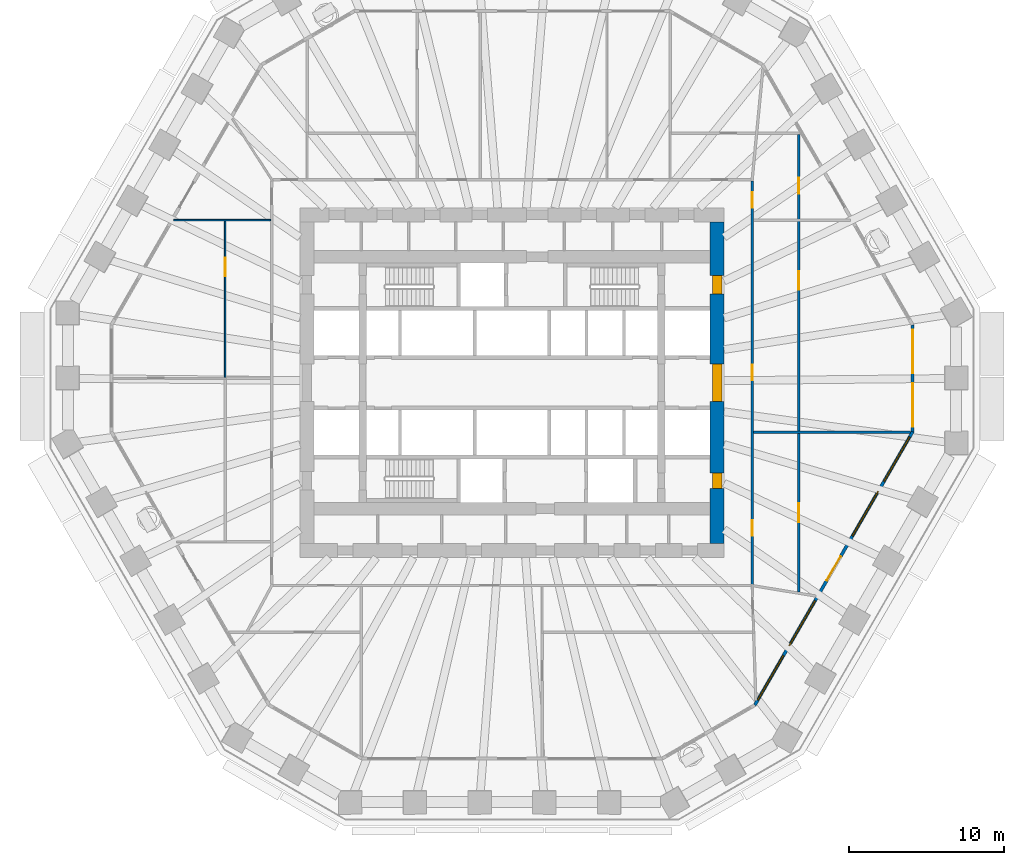
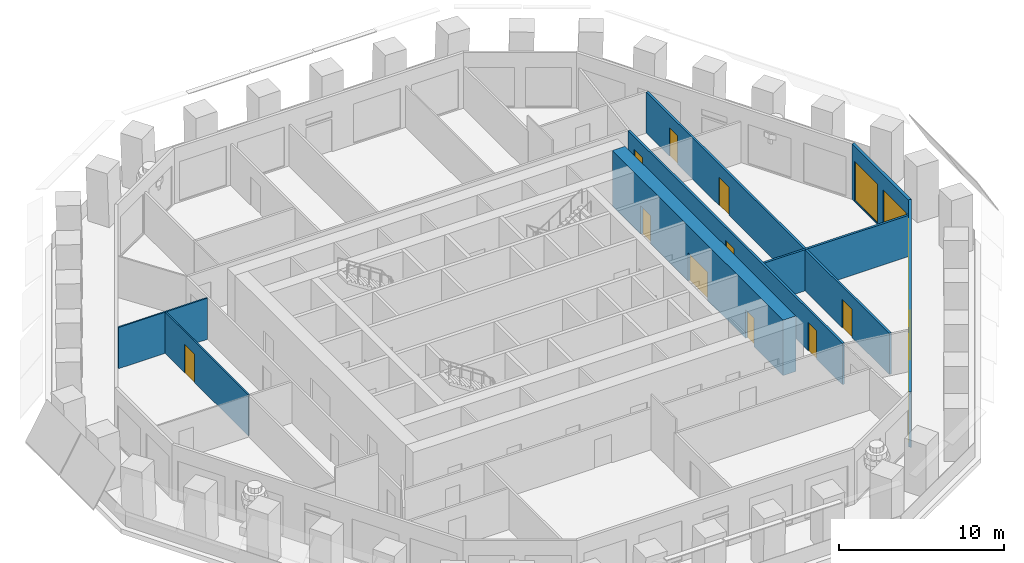
# One storey, part 6 of 13: 11 doors, 8 walls, 7 windows, 18 openings.
"""IFC4 building model written with IfcOpenShell, lengths in metres."""

from ifc_helpers import new_model, si_unit, direction, frame, frame_2d, origin, place, context, subcontext, project, spatial, polyline, rectangle, outline, extrude, material, layer, layer_set, type_object, element, fill, save


model = new_model("IFC4")

# Units and contexts
model_context = context("Model", 3, precision=1e-05, world=origin(), true_north=direction((0.0, 1.0)))
body_context = subcontext(model_context, "Body", "Model", "MODEL_VIEW")
ifc_project = project(units=[si_unit("LENGTHUNIT", "METRE"), si_unit("AREAUNIT", "SQUARE_METRE"), si_unit("VOLUMEUNIT", "CUBIC_METRE"), si_unit("PLANEANGLEUNIT", "RADIAN"), si_unit("MASSUNIT", "GRAM", prefix="KILO")], contexts=[model_context])

# Site, building, storey
site_placement = place(None, origin())
site = spatial("IfcSite", under=ifc_project, at=site_placement, CompositionType="ELEMENT")
building_placement = place(site_placement, origin())
building = spatial("IfcBuilding", under=site, at=building_placement, Name="Frailejon Research Tower", CompositionType="ELEMENT")
storey_placement = place(building_placement, frame((0.0, 0.0, 23.39990234375)))
storey = spatial("IfcBuildingStorey", under=building, at=storey_placement, Name="L05", CompositionType="ELEMENT", Elevation=23.39990234375)

# Wall, openings, doors
ifc_material_1 = material(Name="Concrete C70/85", Category="concrete")
ifc_layer_1 = layer(ifc_material_1, 0.89990234375)
ifc_layer_set_1 = layer_set([ifc_layer_1], Name="Core shear wall 900 C70/85")
wall_type_1 = type_object("IfcWallType", Name="Core shear wall 900 C70/85", PredefinedType="SHEAR", material=ifc_layer_set_1)
wall_1_placement = place(storey_placement, frame((13.199951171875, -10.35009765625, 0.0), z_axis=(0.0, 0.0, 1.0), x_axis=(0.0, 1.0, 0.0)))
wall_1 = element("IfcWall", 1, at=wall_1_placement, inside=storey, type_object=wall_type_1, Name="Core shear wall", PredefinedType="SHEAR", context=body_context, shape_type="SweptSolid", body=[
    extrude(rectangle(XDim=20.7001953125, YDim=0.89990234375, at=frame_2d((10.35009765625, 0.0))), origin(), (0.0, 0.0, 1.0), 4.10009765625),
])
opening_1_placement = place(wall_1_placement, frame((9.14990234375, 0.0, 0.0)))
opening_1 = element("IfcOpeningElement", 2, at=opening_1_placement, cuts=wall_1, Name="Opening D2", PredefinedType="OPENING", context=body_context, shape_type="SweptSolid", body=[
    extrude(rectangle(XDim=2.39990234375, YDim=2.10009765625, at=frame_2d((1.199951171875, 1.050048828125))), frame((0.0, 0.4599609375, 0.0), z_axis=(0.0, -1.0, 0.0), x_axis=(1.0, 0.0, 0.0)), (0.0, 0.0, 1.0), 0.919921875),
])
opening_2_placement = place(wall_1_placement, frame((16.050048828125, 0.0, 0.0)))
opening_2 = element("IfcOpeningElement", 3, at=opening_2_placement, cuts=wall_1, Name="Opening D7", PredefinedType="OPENING", context=body_context, shape_type="SweptSolid", body=[
    extrude(rectangle(XDim=1.199951171875, YDim=2.10009765625, at=frame_2d((0.60009765625, 1.050048828125))), frame((0.0, 0.4599609375, 0.0), z_axis=(0.0, -1.0, 0.0), x_axis=(1.0, 0.0, 0.0)), (0.0, 0.0, 1.0), 0.919921875),
])
opening_3_placement = place(wall_1_placement, frame((3.550048828125, 0.0, 0.0)))
opening_3 = element("IfcOpeningElement", 4, at=opening_3_placement, cuts=wall_1, Name="Opening D4", PredefinedType="OPENING", context=body_context, shape_type="SweptSolid", body=[
    extrude(rectangle(XDim=1.0, YDim=2.10009765625, at=frame_2d((0.5, 1.050048828125))), frame((0.0, 0.4599609375, 0.0), z_axis=(0.0, -1.0, 0.0), x_axis=(1.0, 0.0, 0.0)), (0.0, 0.0, 1.0), 0.919921875),
])
ifc_material_2 = material(Name="Steel", Category="steel")
door_type_1 = type_object("IfcDoorType", Name="Lobby double door", OperationType="DOUBLE_DOOR_SINGLE_SWING", PredefinedType="DOOR", material=ifc_material_2)
door_1_placement = place(opening_1_placement, origin())
door_1 = element("IfcDoor", 5, at=door_1_placement, inside=storey, type_object=door_type_1, Name="Lobby door", OperationType="DOUBLE_DOOR_SINGLE_SWING", OverallHeight=2.10009765625, OverallWidth=2.39990234375, PredefinedType="DOOR", context=body_context, shape_type="SweptSolid", body=[
    extrude(rectangle(XDim=2.39990234375, YDim=2.10009765625, at=frame_2d((1.199951171875, 1.050048828125))), frame((0.0, 0.300048828125, 0.0), z_axis=(0.0, -1.0, 0.0), x_axis=(1.0, 0.0, 0.0)), (0.0, 0.0, 1.0), 0.60009765625),
])
fill(opening_1, door_1)
ifc_material_3 = material(Name="Steel", Category="steel")
door_type_2 = type_object("IfcDoorType", Name="Service door", OperationType="SINGLE_SWING_LEFT", PredefinedType="DOOR", material=ifc_material_3)
door_2_placement = place(opening_3_placement, origin())
door_2 = element("IfcDoor", 6, at=door_2_placement, inside=storey, type_object=door_type_2, Name="Store door", OperationType="SINGLE_SWING_RIGHT", OverallHeight=2.10009765625, OverallWidth=1.0, PredefinedType="DOOR", context=body_context, shape_type="SweptSolid", body=[
    extrude(rectangle(XDim=1.0, YDim=2.10009765625, at=frame_2d((0.5, 1.050048828125))), frame((0.0, 0.300048828125, 0.0), z_axis=(0.0, -1.0, 0.0), x_axis=(1.0, 0.0, 0.0)), (0.0, 0.0, 1.0), 0.60009765625),
])
fill(opening_3, door_2)
ifc_material_4 = material(Name="Steel", Category="steel")
door_type_3 = type_object("IfcDoorType", Name="Stair exit door", OperationType="SINGLE_SWING_LEFT", PredefinedType="DOOR", material=ifc_material_4)
door_3_placement = place(opening_2_placement, origin())
door_3 = element("IfcDoor", 7, at=door_3_placement, inside=storey, type_object=door_type_3, Name="Stair exit door ST3", OperationType="SINGLE_SWING_RIGHT", OverallHeight=2.10009765625, OverallWidth=1.199951171875, PredefinedType="DOOR", context=body_context, shape_type="SweptSolid", body=[
    extrude(rectangle(XDim=1.199951171875, YDim=2.10009765625, at=frame_2d((0.60009765625, 1.050048828125))), frame((0.0, 0.300048828125, 0.0), z_axis=(0.0, -1.0, 0.0), x_axis=(1.0, 0.0, 0.0)), (0.0, 0.0, 1.0), 0.60009765625),
])
fill(opening_2, door_3)

ifc_material_5 = material(Name="Gypsum board and masonry partition", Category="masonry")
ifc_layer_2 = layer(ifc_material_5, 0.14990234375)
ifc_layer_set_2 = layer_set([ifc_layer_2], Name="Corridor wall EI 60, gypsum on steel studs 150")
wall_type_2 = type_object("IfcWallType", Name="Corridor wall EI 60, gypsum on steel studs 150", PredefinedType="PARTITIONING", material=ifc_layer_set_2)
wall_2_placement = place(storey_placement, frame((15.449951171875, -12.97509765625, 0.0), z_axis=(0.0, 0.0, 1.0), x_axis=(0.0, 1.0, 0.0)))
wall_2 = element("IfcWall", 8, at=wall_2_placement, inside=storey, type_object=wall_type_2, Name="T:IW:L05:001", PredefinedType="PARTITIONING", context=body_context, shape_type="SweptSolid", body=[
    extrude(rectangle(XDim=25.9501953125, YDim=0.14990234375, at=frame_2d((12.97509765625, 0.0))), origin(), (0.0, 0.0, 1.0), 3.050048828125),
])
opening_4_placement = place(wall_2_placement, frame((13.1240234375, 0.0, 0.0)))
opening_4 = element("IfcOpeningElement", 9, at=opening_4_placement, cuts=wall_2, Name="Opening D1268", PredefinedType="OPENING", context=body_context, shape_type="SweptSolid", body=[
    extrude(rectangle(XDim=1.0, YDim=2.10009765625, at=frame_2d((0.5, 1.050048828125))), frame((0.0, 0.0849609375, 0.0), z_axis=(0.0, -1.0, 0.0), x_axis=(1.0, 0.0, 0.0)), (0.0, 0.0, 1.0), 0.169921875),
])
opening_5_placement = place(wall_2_placement, frame((24.2294921875, 0.0, 0.0)))
opening_5 = element("IfcOpeningElement", 10, at=opening_5_placement, cuts=wall_2, Name="Opening D1270", PredefinedType="OPENING", context=body_context, shape_type="SweptSolid", body=[
    extrude(rectangle(XDim=1.0, YDim=2.10009765625, at=frame_2d((0.5, 1.050048828125))), frame((0.0, 0.0849609375, 0.0), z_axis=(0.0, -1.0, 0.0), x_axis=(1.0, 0.0, 0.0)), (0.0, 0.0, 1.0), 0.169921875),
])
opening_6_placement = place(wall_2_placement, frame((3.1318359375, 0.0, 0.0)))
opening_6 = element("IfcOpeningElement", 11, at=opening_6_placement, cuts=wall_2, Name="Opening D1291", PredefinedType="OPENING", context=body_context, shape_type="SweptSolid", body=[
    extrude(rectangle(XDim=1.0, YDim=2.10009765625, at=frame_2d((0.5, 1.050048828125))), frame((0.0, 0.0849609375, 0.0), z_axis=(0.0, -1.0, 0.0), x_axis=(1.0, 0.0, 0.0)), (0.0, 0.0, 1.0), 0.169921875),
])
ifc_material_6 = material(Name="Timber door leaf", Category="wood")
door_type_4 = type_object("IfcDoorType", Name="Door laboratory, timber, vision panel 1000", OperationType="NOTDEFINED", PredefinedType="DOOR", material=ifc_material_6)
door_4_placement = place(opening_4_placement, origin())
door_4 = element("IfcDoor", 12, at=door_4_placement, inside=storey, type_object=door_type_4, Name="D1268", OperationType="SINGLE_SWING_RIGHT", OverallHeight=2.10009765625, OverallWidth=1.0, PredefinedType="DOOR", context=body_context, shape_type="SweptSolid", body=[
    extrude(rectangle(XDim=1.0, YDim=2.10009765625, at=frame_2d((0.5, 1.050048828125))), frame((0.0, 0.02490234375, 0.0), z_axis=(0.0, -1.0, 0.0), x_axis=(1.0, 0.0, 0.0)), (0.0, 0.0, 1.0), 0.050048828125),
])
fill(opening_4, door_4)
door_5_placement = place(opening_5_placement, origin())
door_5 = element("IfcDoor", 13, at=door_5_placement, inside=storey, type_object=door_type_4, Name="D1270", OperationType="SINGLE_SWING_LEFT", OverallHeight=2.10009765625, OverallWidth=1.0, PredefinedType="DOOR", context=body_context, shape_type="SweptSolid", body=[
    extrude(rectangle(XDim=1.0, YDim=2.10009765625, at=frame_2d((0.5, 1.050048828125))), frame((0.0, 0.02490234375, 0.0), z_axis=(0.0, -1.0, 0.0), x_axis=(1.0, 0.0, 0.0)), (0.0, 0.0, 1.0), 0.050048828125),
])
fill(opening_5, door_5)
door_6_placement = place(opening_6_placement, origin())
door_6 = element("IfcDoor", 14, at=door_6_placement, inside=storey, type_object=door_type_4, Name="D1291", OperationType="SINGLE_SWING_RIGHT", OverallHeight=2.10009765625, OverallWidth=1.0, PredefinedType="DOOR", context=body_context, shape_type="SweptSolid", body=[
    extrude(rectangle(XDim=1.0, YDim=2.10009765625, at=frame_2d((0.5, 1.050048828125))), frame((0.0, 0.02490234375, 0.0), z_axis=(0.0, -1.0, 0.0), x_axis=(1.0, 0.0, 0.0)), (0.0, 0.0, 1.0), 0.050048828125),
])
fill(opening_6, door_6)

ifc_material_7 = material(Name="Gypsum board and masonry partition", Category="masonry")
ifc_layer_3 = layer(ifc_material_7, 0.14990234375)
ifc_layer_set_3 = layer_set([ifc_layer_3], Name="Laboratory partition, blockwork 150")
wall_type_3 = type_object("IfcWallType", Name="Laboratory partition, blockwork 150", PredefinedType="PARTITIONING", material=ifc_layer_set_3)
wall_3_placement = place(storey_placement, frame((18.449951171875, -13.47021484375, 0.0), z_axis=(0.0, 0.0, 1.0), x_axis=(0.0, 1.0, 0.0)))
wall_3 = element("IfcWall", 15, at=wall_3_placement, inside=storey, type_object=wall_type_3, Name="T:IW:L05:005", PredefinedType="PARTITIONING", context=body_context, shape_type="SweptSolid", body=[
    extrude(rectangle(XDim=29.4453125, YDim=0.14990234375, at=frame_2d((14.72265625, 0.0))), origin(), (0.0, 0.0, 1.0), 3.050048828125),
])
opening_7_placement = place(wall_3_placement, frame((19.4423828125, 0.0, 0.0)))
opening_7 = element("IfcOpeningElement", 16, at=opening_7_placement, cuts=wall_3, Name="Opening D1267", PredefinedType="OPENING", context=body_context, shape_type="SweptSolid", body=[
    extrude(rectangle(XDim=1.199951171875, YDim=2.10009765625, at=frame_2d((0.60009765625, 1.050048828125))), frame((0.0, 0.0849609375, 0.0), z_axis=(0.0, -1.0, 0.0), x_axis=(1.0, 0.0, 0.0)), (0.0, 0.0, 1.0), 0.169921875),
])
opening_8_placement = place(wall_3_placement, frame((25.640869140625, 0.0, 0.0)))
opening_8 = element("IfcOpeningElement", 17, at=opening_8_placement, cuts=wall_3, Name="Opening D1269", PredefinedType="OPENING", context=body_context, shape_type="SweptSolid", body=[
    extrude(rectangle(XDim=1.0, YDim=2.10009765625, at=frame_2d((0.5, 1.050048828125))), frame((0.0, 0.0849609375, 0.0), z_axis=(0.0, -1.0, 0.0), x_axis=(1.0, 0.0, 0.0)), (0.0, 0.0, 1.0), 0.169921875),
])
opening_9_placement = place(wall_3_placement, frame((4.50390625, 0.0, 0.0)))
opening_9 = element("IfcOpeningElement", 18, at=opening_9_placement, cuts=wall_3, Name="Opening D1292", PredefinedType="OPENING", context=body_context, shape_type="SweptSolid", body=[
    extrude(rectangle(XDim=1.199951171875, YDim=2.10009765625, at=frame_2d((0.60009765625, 1.050048828125))), frame((0.0, 0.0849609375, 0.0), z_axis=(0.0, -1.0, 0.0), x_axis=(1.0, 0.0, 0.0)), (0.0, 0.0, 1.0), 0.169921875),
])
ifc_material_8 = material(Name="Timber door leaf", Category="wood")
door_type_5 = type_object("IfcDoorType", Name="Door laboratory, timber, vision panel 1200", OperationType="NOTDEFINED", PredefinedType="DOOR", material=ifc_material_8)
door_7_placement = place(opening_7_placement, origin())
door_7 = element("IfcDoor", 19, at=door_7_placement, inside=storey, type_object=door_type_5, Name="D1267", OperationType="DOUBLE_DOOR_SINGLE_SWING", OverallHeight=2.10009765625, OverallWidth=1.199951171875, PredefinedType="DOOR", context=body_context, shape_type="SweptSolid", body=[
    extrude(rectangle(XDim=1.199951171875, YDim=2.10009765625, at=frame_2d((0.60009765625, 1.050048828125))), frame((0.0, 0.02490234375, 0.0), z_axis=(0.0, -1.0, 0.0), x_axis=(1.0, 0.0, 0.0)), (0.0, 0.0, 1.0), 0.050048828125),
])
fill(opening_7, door_7)
door_8_placement = place(opening_9_placement, origin())
door_8 = element("IfcDoor", 20, at=door_8_placement, inside=storey, type_object=door_type_5, Name="D1292", OperationType="DOUBLE_DOOR_SINGLE_SWING", OverallHeight=2.10009765625, OverallWidth=1.199951171875, PredefinedType="DOOR", context=body_context, shape_type="SweptSolid", body=[
    extrude(rectangle(XDim=1.199951171875, YDim=2.10009765625, at=frame_2d((0.60009765625, 1.050048828125))), frame((0.0, 0.02490234375, 0.0), z_axis=(0.0, -1.0, 0.0), x_axis=(1.0, 0.0, 0.0)), (0.0, 0.0, 1.0), 0.050048828125),
])
fill(opening_9, door_8)
ifc_material_9 = material(Name="Timber door leaf", Category="wood")
door_type_6 = type_object("IfcDoorType", Name="Door single leaf, timber, steel frame 1000", OperationType="NOTDEFINED", PredefinedType="DOOR", material=ifc_material_9)
door_9_placement = place(opening_8_placement, origin())
door_9 = element("IfcDoor", 21, at=door_9_placement, inside=storey, type_object=door_type_6, Name="D1269", OperationType="SINGLE_SWING_RIGHT", OverallHeight=2.10009765625, OverallWidth=1.0, PredefinedType="DOOR", context=body_context, shape_type="SweptSolid", body=[
    extrude(rectangle(XDim=1.0, YDim=2.10009765625, at=frame_2d((0.5, 1.050048828125))), frame((0.0, 0.02490234375, 0.0), z_axis=(0.0, -1.0, 0.0), x_axis=(1.0, 0.0, 0.0)), (0.0, 0.0, 1.0), 0.050048828125),
])
fill(opening_8, door_9)

# Walls
wall_4_placement = place(storey_placement, frame((15.52490234375, -3.1875, 0.0), z_axis=(0.0, 0.0, 1.0), x_axis=(1.0, 0.0, 0.0)))
element("IfcWall", 22, at=wall_4_placement, inside=storey, type_object=wall_type_3, Name="T:IW:L05:007", PredefinedType="PARTITIONING", context=body_context, shape_type="SweptSolid", body=[
    extrude(rectangle(XDim=10.11669921875, YDim=0.14990234375, at=frame_2d((5.058349609375, 0.0))), origin(), (0.0, 0.0, 1.0), 3.050048828125),
])
ifc_material_10 = material(Name="Gypsum board and masonry partition", Category="masonry")
ifc_layer_4 = layer(ifc_material_10, 0.10009765625)
ifc_layer_set_4 = layer_set([ifc_layer_4], Name="Partition, gypsum on steel studs 100")
wall_type_4 = type_object("IfcWallType", Name="Partition, gypsum on steel studs 100", PredefinedType="PARTITIONING", material=ifc_layer_set_4)
wall_5_placement = place(storey_placement, frame((-21.7626953125, 10.458740234375, 0.0), z_axis=(0.0, 0.0, 1.0), x_axis=(1.0, 0.0, 0.0)))
element("IfcWall", 23, at=wall_5_placement, inside=storey, type_object=wall_type_4, Name="T:IW:L05:029", PredefinedType="PARTITIONING", context=body_context, shape_type="SweptSolid", body=[
    extrude(rectangle(XDim=6.23779296875, YDim=0.10009765625, at=frame_2d((3.118896484375, 0.0))), origin(), (0.0, 0.0, 1.0), 3.050048828125),
])

# Wall, opening, door
wall_6_placement = place(storey_placement, frame((-18.449951171875, 0.32666015625, 0.0), z_axis=(0.0, 0.0, 1.0), x_axis=(0.0, 1.0, 0.0)))
wall_6 = element("IfcWall", 24, at=wall_6_placement, inside=storey, type_object=wall_type_4, Name="T:IW:L05:030", PredefinedType="PARTITIONING", context=body_context, shape_type="SweptSolid", body=[
    extrude(rectangle(XDim=10.08203125, YDim=0.10009765625, at=frame_2d((5.041015625, 0.0))), origin(), (0.0, 0.0, 1.0), 3.050048828125),
])
opening_10_placement = place(wall_6_placement, frame((6.51171875, 0.0, 0.0)))
opening_10 = element("IfcOpeningElement", 25, at=opening_10_placement, cuts=wall_6, Name="Opening D1281", PredefinedType="OPENING", context=body_context, shape_type="SweptSolid", body=[
    extrude(rectangle(XDim=1.199951171875, YDim=2.10009765625, at=frame_2d((0.60009765625, 1.050048828125))), frame((0.0, 0.06005859375, 0.0), z_axis=(0.0, -1.0, 0.0), x_axis=(1.0, 0.0, 0.0)), (0.0, 0.0, 1.0), 0.1201171875),
])
ifc_material_11 = material(Name="Timber door leaf", Category="wood")
door_type_7 = type_object("IfcDoorType", Name="Door single leaf, timber, steel frame 1200", OperationType="NOTDEFINED", PredefinedType="DOOR", material=ifc_material_11)
door_10_placement = place(opening_10_placement, origin())
door_10 = element("IfcDoor", 26, at=door_10_placement, inside=storey, type_object=door_type_7, Name="D1281", OperationType="DOUBLE_DOOR_SINGLE_SWING", OverallHeight=2.10009765625, OverallWidth=1.199951171875, PredefinedType="DOOR", context=body_context, shape_type="SweptSolid", body=[
    extrude(rectangle(XDim=1.199951171875, YDim=2.10009765625, at=frame_2d((0.60009765625, 1.050048828125))), frame((0.0, 0.02490234375, 0.0), z_axis=(0.0, -1.0, 0.0), x_axis=(1.0, 0.0, 0.0)), (0.0, 0.0, 1.0), 0.050048828125),
])
fill(opening_10, door_10)

# Wall, openings, windows
ifc_material_12 = material(Name="Concrete C40/50 precast window wall panel", Category="concrete")
ifc_layer_5 = layer(ifc_material_12, 0.199951171875)
ifc_layer_set_5 = layer_set([ifc_layer_5], Name="Window wall 200")
wall_type_5 = type_object("IfcWallType", Name="Window wall 200", PredefinedType="SOLIDWALL", material=ifc_layer_set_5)
wall_7_placement = place(storey_placement, frame((25.7724609375, -3.160888671875, 0.0), z_axis=(0.0, 0.0, 1.0), x_axis=(0.0, 1.0, 0.0)))
wall_7 = element("IfcWall", 27, at=wall_7_placement, inside=storey, type_object=wall_type_5, Name="Exterior wall L05", PredefinedType="SOLIDWALL", context=body_context, shape_type="SweptSolid", body=[
    extrude(outline(polyline([(-0.02685546875, -0.10009765625), (1.1279296875, -0.10009765625), (2.28271484375, -0.10009765625), (3.4375, -0.10009765625), (4.592041015625, -0.10009765625), (5.746826171875, -0.10009765625), (6.901611328125, -0.10009765625), (6.847900390625, 0.10009765625), (5.7109375, 0.10009765625), (4.57421875, 0.10009765625), (3.4375, 0.10009765625), (2.300537109375, 0.10009765625), (1.16357421875, 0.10009765625), (0.02685546875, 0.10009765625), (-0.02685546875, -0.10009765625)])), origin(), (0.0, 0.0, 1.0), 4.10009765625),
])
opening_11_placement = place(wall_7_placement, frame((0.318603515625, 0.0, 0.10009765625)))
opening_11 = element("IfcOpeningElement", 28, at=opening_11_placement, cuts=wall_7, Name="Opening W3", PredefinedType="OPENING", context=body_context, shape_type="SweptSolid", body=[
    extrude(rectangle(XDim=2.800048828125, YDim=2.89990234375, at=frame_2d((1.39990234375, 1.449951171875))), frame((0.0, 0.10986328125, 0.0), z_axis=(0.0, -1.0, 0.0), x_axis=(1.0, 0.0, 0.0)), (0.0, 0.0, 1.0), 0.219970703125),
])
opening_12_placement = place(wall_7_placement, frame((3.756103515625, 0.0, 0.10009765625)))
opening_12 = element("IfcOpeningElement", 29, at=opening_12_placement, cuts=wall_7, Name="Opening W3", PredefinedType="OPENING", context=body_context, shape_type="SweptSolid", body=[
    extrude(rectangle(XDim=2.800048828125, YDim=2.89990234375, at=frame_2d((1.39990234375, 1.449951171875))), frame((0.0, 0.10986328125, 0.0), z_axis=(0.0, -1.0, 0.0), x_axis=(1.0, 0.0, 0.0)), (0.0, 0.0, 1.0), 0.219970703125),
])
ifc_material_13 = material(Name="Aluminium framed double glazing", Category="aluminium")
window_type_1 = type_object("IfcWindowType", Name="Window 2800x2900", PartitioningType="SINGLE_PANEL", PredefinedType="WINDOW", material=ifc_material_13)
window_1_placement = place(opening_11_placement, origin())
window_1 = element("IfcWindow", 30, at=window_1_placement, inside=storey, type_object=window_type_1, Name="Window L05", OverallHeight=2.89990234375, OverallWidth=2.800048828125, PartitioningType="SINGLE_PANEL", PredefinedType="WINDOW", context=body_context, shape_type="SweptSolid", body=[
    extrude(rectangle(XDim=2.800048828125, YDim=2.89990234375, at=frame_2d((1.39990234375, 1.449951171875))), frame((0.0, 0.030029296875, 0.0), z_axis=(0.0, -1.0, 0.0), x_axis=(1.0, 0.0, 0.0)), (0.0, 0.0, 1.0), 0.06005859375),
])
fill(opening_11, window_1)
window_2_placement = place(opening_12_placement, origin())
window_2 = element("IfcWindow", 31, at=window_2_placement, inside=storey, type_object=window_type_1, Name="Window L05", OverallHeight=2.89990234375, OverallWidth=2.800048828125, PartitioningType="SINGLE_PANEL", PredefinedType="WINDOW", context=body_context, shape_type="SweptSolid", body=[
    extrude(rectangle(XDim=2.800048828125, YDim=2.89990234375, at=frame_2d((1.39990234375, 1.449951171875))), frame((0.0, 0.030029296875, 0.0), z_axis=(0.0, -1.0, 0.0), x_axis=(1.0, 0.0, 0.0)), (0.0, 0.0, 1.0), 0.06005859375),
])
fill(opening_12, window_2)

# Wall, openings, door, windows
wall_8_placement = place(storey_placement, frame((15.62353515625, -20.7392578125, 0.0), z_axis=(0.0, 0.0, 1.0), x_axis=(0.500001833672, 0.866024345111, 0.0)))
wall_8 = element("IfcWall", 32, at=wall_8_placement, inside=storey, type_object=wall_type_5, Name="Exterior wall L05", PredefinedType="SOLIDWALL", context=body_context, shape_type="SweptSolid", body=[
    extrude(outline(polyline([(-0.02685546875, -0.10009765625), (0.99072265625, -0.10009765625), (2.00830078125, -0.10009765625), (3.02587890625, -0.10009765625), (4.04345703125, -0.10009765625), (5.06103515625, -0.10009765625), (6.07861328125, -0.10009765625), (7.09619140625, -0.10009765625), (8.11376953125, -0.10009765625), (9.13134765625, -0.10009765625), (10.14892578125, -0.10009765625), (11.16650390625, -0.10009765625), (12.18408203125, -0.10009765625), (13.20166015625, -0.10009765625), (14.21923828125, -0.10009765625), (15.23681640625, -0.10009765625), (16.25439453125, -0.10009765625), (17.27197265625, -0.10009765625), (18.28955078125, -0.10009765625), (19.30712890625, -0.10009765625), (20.32470703125, -0.10009765625), (20.27099609375, 0.10009765625), (19.2587890625, 0.10009765625), (18.24658203125, 0.10009765625), (17.234375, 0.10009765625), (16.22216796875, 0.10009765625), (15.2099609375, 0.10009765625), (14.19775390625, 0.10009765625), (13.185546875, 0.10009765625), (12.17333984375, 0.10009765625), (11.1611328125, 0.10009765625), (10.14892578125, 0.10009765625), (9.13671875, 0.10009765625), (8.12451171875, 0.10009765625), (7.1123046875, 0.10009765625), (6.10009765625, 0.10009765625), (5.087890625, 0.10009765625), (4.07568359375, 0.10009765625), (3.0634765625, 0.10009765625), (2.05126953125, 0.10009765625), (1.0390625, 0.10009765625), (0.02685546875, 0.10009765625), (-0.02685546875, -0.10009765625)])), origin(), (0.0, 0.0, 1.0), 4.10009765625),
])
opening_13_placement = place(wall_8_placement, frame((0.3798828125, 0.0, 0.10009765625)))
opening_13 = element("IfcOpeningElement", 33, at=opening_13_placement, cuts=wall_8, Name="Opening W5", PredefinedType="OPENING", context=body_context, shape_type="SweptSolid", body=[
    extrude(rectangle(XDim=3.300048828125, YDim=2.89990234375, at=frame_2d((1.64990234375, 1.449951171875))), frame((0.0, 0.10986328125, 0.0), z_axis=(0.0, -1.0, 0.0), x_axis=(1.0, 0.0, 0.0)), (0.0, 0.0, 1.0), 0.219970703125),
])
opening_14_placement = place(wall_8_placement, frame((4.439453125, 0.0, 0.10009765625)))
opening_14 = element("IfcOpeningElement", 34, at=opening_14_placement, cuts=wall_8, Name="Opening W5", PredefinedType="OPENING", context=body_context, shape_type="SweptSolid", body=[
    extrude(rectangle(XDim=3.300048828125, YDim=2.89990234375, at=frame_2d((1.64990234375, 1.449951171875))), frame((0.0, 0.10986328125, 0.0), z_axis=(0.0, -1.0, 0.0), x_axis=(1.0, 0.0, 0.0)), (0.0, 0.0, 1.0), 0.219970703125),
])
opening_15_placement = place(wall_8_placement, frame((9.248779296875, 0.0, 0.0)))
opening_15 = element("IfcOpeningElement", 35, at=opening_15_placement, cuts=wall_8, Name="Opening LG05-6", PredefinedType="OPENING", context=body_context, shape_type="SweptSolid", body=[
    extrude(rectangle(XDim=1.800048828125, YDim=2.39990234375, at=frame_2d((0.89990234375, 1.199951171875))), frame((0.0, 0.10986328125, 0.0), z_axis=(0.0, -1.0, 0.0), x_axis=(1.0, 0.0, 0.0)), (0.0, 0.0, 1.0), 0.219970703125),
])
opening_16_placement = place(wall_8_placement, frame((9.248779296875, 0.0, 2.550048828125)))
opening_16 = element("IfcOpeningElement", 36, at=opening_16_placement, cuts=wall_8, Name="Opening W1", PredefinedType="OPENING", context=body_context, shape_type="SweptSolid", body=[
    extrude(rectangle(XDim=1.800048828125, YDim=0.449951171875, at=frame_2d((0.89990234375, 0.22509765625))), frame((0.0, 0.10986328125, 0.0), z_axis=(0.0, -1.0, 0.0), x_axis=(1.0, 0.0, 0.0)), (0.0, 0.0, 1.0), 0.219970703125),
])
opening_17_placement = place(wall_8_placement, frame((12.55859375, 0.0, 0.10009765625)))
opening_17 = element("IfcOpeningElement", 37, at=opening_17_placement, cuts=wall_8, Name="Opening W5", PredefinedType="OPENING", context=body_context, shape_type="SweptSolid", body=[
    extrude(rectangle(XDim=3.300048828125, YDim=2.89990234375, at=frame_2d((1.64990234375, 1.449951171875))), frame((0.0, 0.10986328125, 0.0), z_axis=(0.0, -1.0, 0.0), x_axis=(1.0, 0.0, 0.0)), (0.0, 0.0, 1.0), 0.219970703125),
])
opening_18_placement = place(wall_8_placement, frame((16.6181640625, 0.0, 0.10009765625)))
opening_18 = element("IfcOpeningElement", 38, at=opening_18_placement, cuts=wall_8, Name="Opening W5", PredefinedType="OPENING", context=body_context, shape_type="SweptSolid", body=[
    extrude(rectangle(XDim=3.300048828125, YDim=2.89990234375, at=frame_2d((1.64990234375, 1.449951171875))), frame((0.0, 0.10986328125, 0.0), z_axis=(0.0, -1.0, 0.0), x_axis=(1.0, 0.0, 0.0)), (0.0, 0.0, 1.0), 0.219970703125),
])
ifc_material_14 = material(Name="Aluminium framed glazed door leaf", Category="aluminium")
door_type_8 = type_object("IfcDoorType", Name="Loggia door 1800x2400", OperationType="DOUBLE_DOOR_SINGLE_SWING", PredefinedType="DOOR", material=ifc_material_14)
door_11_placement = place(opening_15_placement, origin())
door_11 = element("IfcDoor", 39, at=door_11_placement, inside=storey, type_object=door_type_8, Name="Door LG05-6", OperationType="DOUBLE_DOOR_SINGLE_SWING", OverallHeight=2.39990234375, OverallWidth=1.800048828125, PredefinedType="DOOR", context=body_context, shape_type="SweptSolid", body=[
    extrude(rectangle(XDim=1.800048828125, YDim=2.39990234375, at=frame_2d((0.89990234375, 1.199951171875))), frame((0.0, 0.02490234375, 0.0), z_axis=(0.0, -1.0, 0.0), x_axis=(1.0, 0.0, 0.0)), (0.0, 0.0, 1.0), 0.050048828125),
])
fill(opening_15, door_11)
ifc_material_15 = material(Name="Aluminium framed double glazing", Category="aluminium")
window_type_2 = type_object("IfcWindowType", Name="Window 1800x450", PartitioningType="SINGLE_PANEL", PredefinedType="WINDOW", material=ifc_material_15)
window_3_placement = place(opening_16_placement, origin())
window_3 = element("IfcWindow", 40, at=window_3_placement, inside=storey, type_object=window_type_2, Name="Window L05", OverallHeight=0.449951171875, OverallWidth=1.800048828125, PartitioningType="SINGLE_PANEL", PredefinedType="WINDOW", context=body_context, shape_type="SweptSolid", body=[
    extrude(rectangle(XDim=1.800048828125, YDim=0.449951171875, at=frame_2d((0.89990234375, 0.22509765625))), frame((0.0, 0.030029296875, 0.0), z_axis=(0.0, -1.0, 0.0), x_axis=(1.0, 0.0, 0.0)), (0.0, 0.0, 1.0), 0.06005859375),
])
fill(opening_16, window_3)
ifc_material_16 = material(Name="Aluminium framed double glazing", Category="aluminium")
window_type_3 = type_object("IfcWindowType", Name="Window 3300x2900", PartitioningType="SINGLE_PANEL", PredefinedType="WINDOW", material=ifc_material_16)
window_4_placement = place(opening_13_placement, origin())
window_4 = element("IfcWindow", 41, at=window_4_placement, inside=storey, type_object=window_type_3, Name="Window L05", OverallHeight=2.89990234375, OverallWidth=3.300048828125, PartitioningType="SINGLE_PANEL", PredefinedType="WINDOW", context=body_context, shape_type="SweptSolid", body=[
    extrude(rectangle(XDim=3.300048828125, YDim=2.89990234375, at=frame_2d((1.64990234375, 1.449951171875))), frame((0.0, 0.030029296875, 0.0), z_axis=(0.0, -1.0, 0.0), x_axis=(1.0, 0.0, 0.0)), (0.0, 0.0, 1.0), 0.06005859375),
])
fill(opening_13, window_4)
window_5_placement = place(opening_14_placement, origin())
window_5 = element("IfcWindow", 42, at=window_5_placement, inside=storey, type_object=window_type_3, Name="Window L05", OverallHeight=2.89990234375, OverallWidth=3.300048828125, PartitioningType="SINGLE_PANEL", PredefinedType="WINDOW", context=body_context, shape_type="SweptSolid", body=[
    extrude(rectangle(XDim=3.300048828125, YDim=2.89990234375, at=frame_2d((1.64990234375, 1.449951171875))), frame((0.0, 0.030029296875, 0.0), z_axis=(0.0, -1.0, 0.0), x_axis=(1.0, 0.0, 0.0)), (0.0, 0.0, 1.0), 0.06005859375),
])
fill(opening_14, window_5)
window_6_placement = place(opening_17_placement, origin())
window_6 = element("IfcWindow", 43, at=window_6_placement, inside=storey, type_object=window_type_3, Name="Window L05", OverallHeight=2.89990234375, OverallWidth=3.300048828125, PartitioningType="SINGLE_PANEL", PredefinedType="WINDOW", context=body_context, shape_type="SweptSolid", body=[
    extrude(rectangle(XDim=3.300048828125, YDim=2.89990234375, at=frame_2d((1.64990234375, 1.449951171875))), frame((0.0, 0.030029296875, 0.0), z_axis=(0.0, -1.0, 0.0), x_axis=(1.0, 0.0, 0.0)), (0.0, 0.0, 1.0), 0.06005859375),
])
fill(opening_17, window_6)
window_7_placement = place(opening_18_placement, origin())
window_7 = element("IfcWindow", 44, at=window_7_placement, inside=storey, type_object=window_type_3, Name="Window L05", OverallHeight=2.89990234375, OverallWidth=3.300048828125, PartitioningType="SINGLE_PANEL", PredefinedType="WINDOW", context=body_context, shape_type="SweptSolid", body=[
    extrude(rectangle(XDim=3.300048828125, YDim=2.89990234375, at=frame_2d((1.64990234375, 1.449951171875))), frame((0.0, 0.030029296875, 0.0), z_axis=(0.0, -1.0, 0.0), x_axis=(1.0, 0.0, 0.0)), (0.0, 0.0, 1.0), 0.06005859375),
])
fill(opening_18, window_7)

save(model, "model.ifc")
